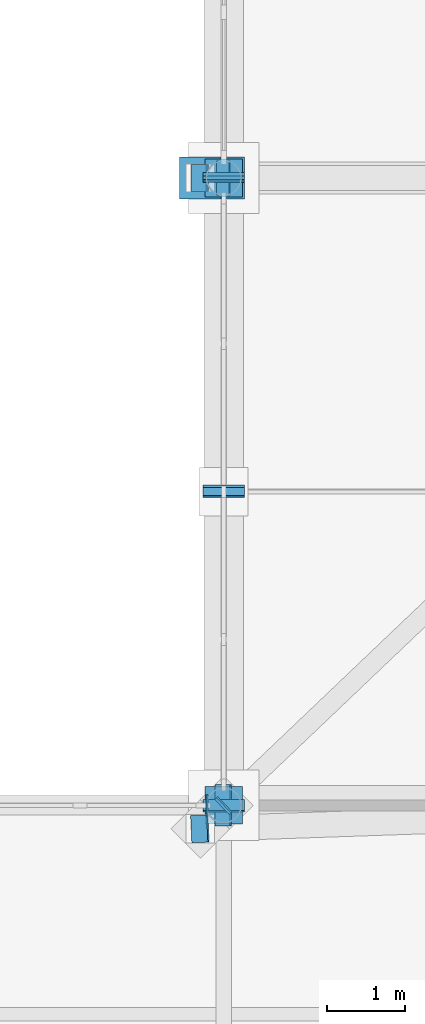
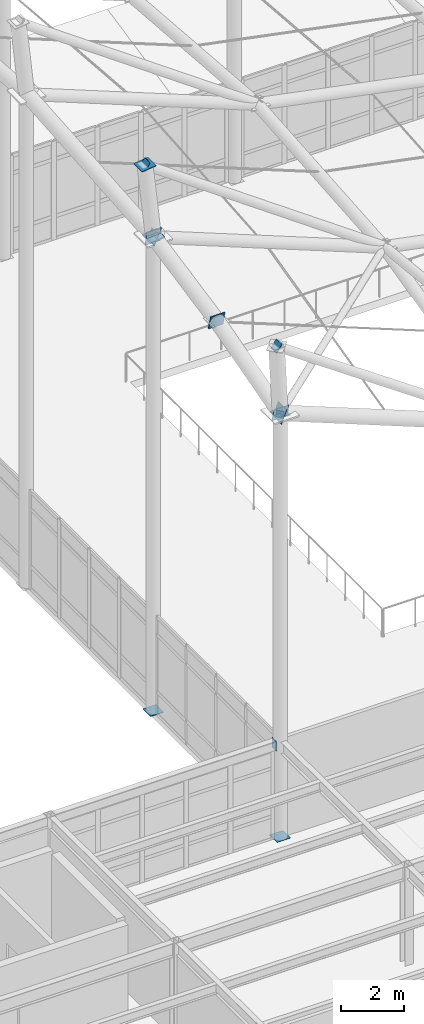
# One storey, part 92 of 138: 17 discrete accessories.
"""IFC4 building model written with IfcOpenShell, lengths in metres."""

from ifc_helpers import new_model, si_unit, direction, frame, origin, origin_2d, place, context, subcontext, project, spatial, rectangle, extrude, material, layer, layer_set, type_object, element, save


model = new_model("IFC4")

# Units and contexts
model_context = context("Model", 3, precision=1e-05, world=origin(), true_north=direction((0.0, 1.0)))
body_context = subcontext(model_context, "Body", "Model", "MODEL_VIEW")
ifc_project = project(units=[si_unit("LENGTHUNIT", "METRE"), si_unit("AREAUNIT", "SQUARE_METRE"), si_unit("VOLUMEUNIT", "CUBIC_METRE"), si_unit("PLANEANGLEUNIT", "RADIAN"), si_unit("MASSUNIT", "GRAM", prefix="KILO")], contexts=[model_context])

# Site, building, storey
site_placement = place(None, origin())
site = spatial("IfcSite", under=ifc_project, at=site_placement, CompositionType="ELEMENT")
building_placement = place(site_placement, origin())
building = spatial("IfcBuilding", under=site, at=building_placement, Name="Kranzveld Transit Interchange", CompositionType="ELEMENT")
storey_placement = place(building_placement, frame((0.0, 0.0, 5.43994140625)))
storey = spatial("IfcBuildingStorey", under=building, at=storey_placement, Name="L01", CompositionType="ELEMENT", Elevation=5.43994140625)

# Discrete accessories
ifc_material = material(Name="Steel S355JR", Category="steel")
ifc_layer = layer(ifc_material, 0.02001953125)
ifc_layer_set = layer_set([ifc_layer], Name="Steel S355JR")
discrete_accessory_type = type_object("IfcDiscreteAccessoryType", Name="Hollow Section End Cap Bracket 20 S355JR", PredefinedType="BRACKET", material=ifc_layer_set)
for number, where, z_axis, x_axis, name in (
    (1, (58.800048828125, 56.0, 0.004150390625), (0.0, 0.0, -1.0), (1.0, 0.0, 0.0), "Hollow Section End Cap C-CHS457-1"),
    (2, (58.800048828125, 56.0, 16.276123046875), (0.0, 0.0, 1.0), (1.0, 0.0, 0.0), "Hollow Section End Cap C-CHS457-2"),
    (3, (58.800048828125, 64.0, 0.004150390625), (0.0, 0.0, -1.0), (1.0, 0.0, 0.0), "Hollow Section End Cap C-CHS457-1"),
    (4, (58.800048828125, 64.0, 18.22607421875), (0.0, 0.0, 1.0), (1.0, 0.0, 0.0), "Hollow Section End Cap C-CHS457-2"),
):
    element("IfcDiscreteAccessory", number, at=place(storey_placement, frame(where, z_axis=z_axis, x_axis=x_axis)), inside=storey, type_object=discrete_accessory_type, Name=name, PredefinedType="BRACKET", context=body_context, shape_type="SweptSolid", body=[
        extrude(rectangle(XDim=0.48095703125, YDim=0.48095703125, at=origin_2d()), origin(), (0.0, 0.0, 1.0), 0.02001953125),
    ])
discrete_accessory_1_placement = place(storey_placement, frame((58.577392578125, 56.0, 3.625), z_axis=(1.0, 0.0, 0.0), x_axis=(0.0, 1.0, 0.0)))
element("IfcDiscreteAccessory", 5, at=discrete_accessory_1_placement, inside=storey, type_object=discrete_accessory_type, Name="Hollow Section End Cap SP-RHS350-2", PredefinedType="BRACKET", context=body_context, shape_type="SweptSolid", body=[
    extrude(rectangle(XDim=0.27392578125, YDim=0.3740234375, at=origin_2d()), origin(), (0.0, 0.0, 1.0), 0.02001953125),
])
discrete_accessory_2_placement = place(storey_placement, frame((58.8037109375, 56.0, 16.30859375), z_axis=(-0.930155221331, 0.0, 0.367166534736), x_axis=(0.0, -1.0, 0.0)))
element("IfcDiscreteAccessory", 6, at=discrete_accessory_2_placement, inside=storey, type_object=discrete_accessory_type, Name="Hollow Section End Cap B-RNG508-1", PredefinedType="BRACKET", context=body_context, shape_type="SweptSolid", body=[
    extrude(rectangle(XDim=0.531982421875, YDim=0.531982421875, at=origin_2d()), origin(), (0.0, 0.0, 1.0), 0.02001953125),
])
discrete_accessory_3_placement = place(storey_placement, frame((58.800048828125, 64.00390625, 18.260498046875), z_axis=(0.0, -0.996286600035, -0.086098841978), x_axis=(1.0, 0.0, 0.0)))
element("IfcDiscreteAccessory", 7, at=discrete_accessory_3_placement, inside=storey, type_object=discrete_accessory_type, Name="Hollow Section End Cap B-RNG508-2", PredefinedType="BRACKET", context=body_context, shape_type="SweptSolid", body=[
    extrude(rectangle(XDim=0.531982421875, YDim=0.531982421875, at=origin_2d()), origin(), (0.0, 0.0, 1.0), 0.019775390625),
])
for number, where, z_axis, x_axis, name in (
    (8, (58.800048828125, 63.99609375, 18.25927734375), (0.0, 0.980580675691, 0.196116135138), (-1.0, 0.0, 0.0), "Hollow Section End Cap B-RNG508-1"),
    (9, (58.800048828125, 60.00390625, 17.4482421875), (0.0, -0.980580675691, -0.196116135138), (1.0, 0.0, 0.0), "Hollow Section End Cap B-RNG508-2"),
    (10, (58.800048828125, 59.99609375, 17.446533203125), (0.0, 0.963343002143, 0.268272734774), (-1.0, 0.0, 0.0), "Hollow Section End Cap B-RNG508-1"),
    (11, (58.800048828125, 56.00390625, 16.31103515625), (0.0, -0.963343002143, -0.268272734774), (1.0, 0.0, 0.0), "Hollow Section End Cap B-RNG508-2"),
):
    element("IfcDiscreteAccessory", number, at=place(storey_placement, frame(where, z_axis=z_axis, x_axis=x_axis)), inside=storey, type_object=discrete_accessory_type, Name=name, PredefinedType="BRACKET", context=body_context, shape_type="SweptSolid", body=[
        extrude(rectangle(XDim=0.531982421875, YDim=0.531982421875, at=origin_2d()), origin(), (0.0, 0.0, 1.0), 0.02001953125),
    ])
discrete_accessory_4_placement = place(storey_placement, frame((58.503173828125, 55.7001953125, 19.15771484375), z_axis=(-0.808190194208, -0.036735917919, 0.587774686697), x_axis=(0.045407660919, -0.99896854021, 0.0)))
element("IfcDiscreteAccessory", 12, at=discrete_accessory_4_placement, inside=storey, type_object=discrete_accessory_type, Name="Hollow Section End Cap ST-CHS324-2", PredefinedType="BRACKET", context=body_context, shape_type="SweptSolid", body=[
    extrude(rectangle(XDim=0.347900390625, YDim=0.347900390625, at=origin_2d()), origin(), (0.0, 0.0, 1.0), 0.02001953125),
])
for number, where, z_axis, x_axis, name in (
    (13, (58.799560546875, 64.0, 18.283935546875), (0.110431526075, 0.0, -0.993883734674), (0.0, 1.0, 0.0), "Hollow Section End Cap C-MST508-1"),
    (14, (58.50048828125, 64.0, 21.106201171875), (-0.110431526075, 0.0, 0.993883734674), (0.0, -1.0, 0.0), "Hollow Section End Cap C-MST508-2"),
):
    element("IfcDiscreteAccessory", number, at=place(storey_placement, frame(where, z_axis=z_axis, x_axis=x_axis)), inside=storey, type_object=discrete_accessory_type, Name=name, PredefinedType="BRACKET", context=body_context, shape_type="SweptSolid", body=[
        extrude(rectangle(XDim=0.531982421875, YDim=0.531982421875, at=origin_2d()), origin(), (0.0, 0.0, 1.0), 0.019775390625),
    ])
discrete_accessory_5_placement = place(storey_placement, frame((58.503173828125, 64.0, 21.107666015625), z_axis=(-0.808736084303, 0.0, 0.588171697675), x_axis=(0.0, -1.0, 0.0)))
element("IfcDiscreteAccessory", 15, at=discrete_accessory_5_placement, inside=storey, type_object=discrete_accessory_type, Name="Hollow Section End Cap ST-CHS324-2", PredefinedType="BRACKET", context=body_context, shape_type="SweptSolid", body=[
    extrude(rectangle(XDim=0.347900390625, YDim=0.347900390625, at=origin_2d()), origin(), (0.0, 0.0, 1.0), 0.02001953125),
])
discrete_accessory_6_placement = place(storey_placement, frame((58.8037109375, 64.0, 18.228515625), z_axis=(-0.930155221331, 0.0, 0.367166534736), x_axis=(0.0, -1.0, 0.0)))
element("IfcDiscreteAccessory", 16, at=discrete_accessory_6_placement, inside=storey, type_object=discrete_accessory_type, Name="Hollow Section End Cap B-RIB406-1", PredefinedType="BRACKET", context=body_context, shape_type="SweptSolid", body=[
    extrude(rectangle(XDim=0.430419921875, YDim=0.430419921875, at=origin_2d()), origin(), (0.0, 0.0, 1.0), 0.02001953125),
])
discrete_accessory_7_placement = place(storey_placement, frame((58.802978515625, 56.002685546875, 16.259521484375), z_axis=(-0.719887010803, -0.683282586524, 0.122014747594), x_axis=(0.688426310031, -0.725306290926, 0.0)))
element("IfcDiscreteAccessory", 17, at=discrete_accessory_7_placement, inside=storey, type_object=discrete_accessory_type, Name="Hollow Section End Cap BR-CHS244-1", PredefinedType="BRACKET", context=body_context, shape_type="SweptSolid", body=[
    extrude(rectangle(XDim=0.2685546875, YDim=0.2685546875, at=origin_2d()), origin(), (0.0, 0.0, 1.0), 0.02001953125),
])

save(model, "model.ifc")
